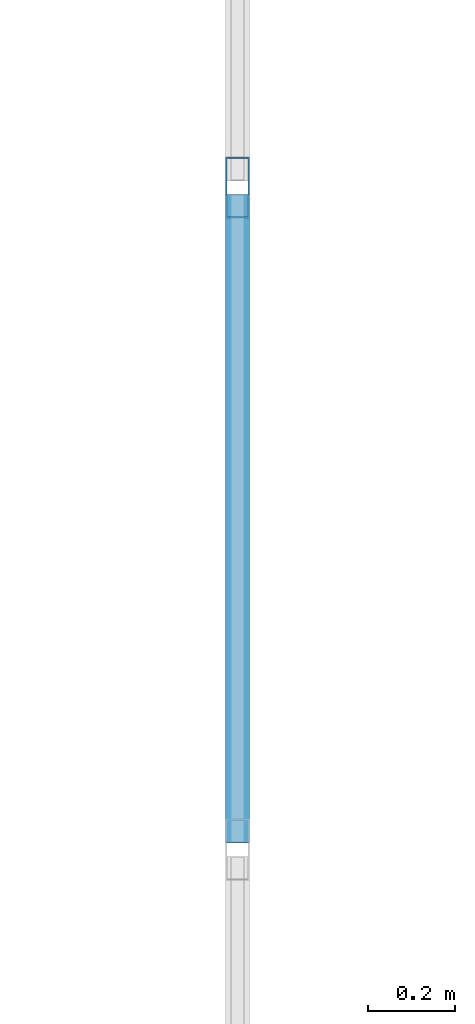
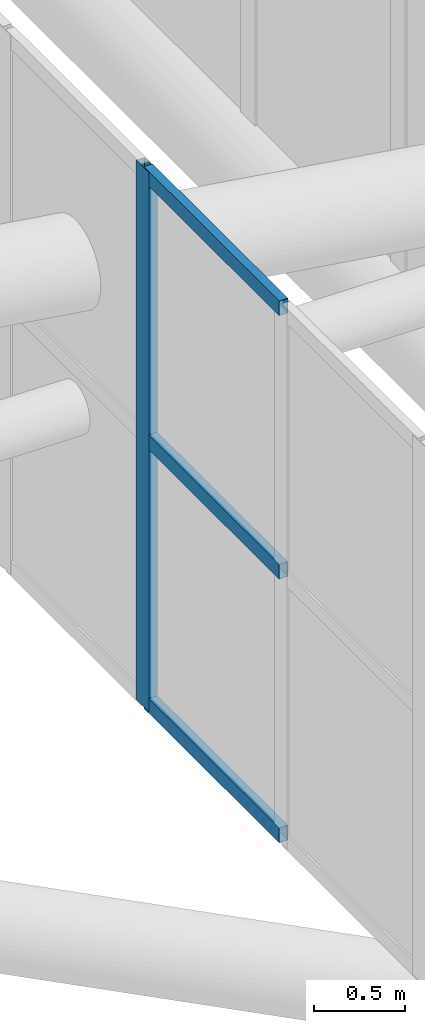
# One storey, part 164 of 397: 4 members, 1 element without a shape of its own.
"""IFC4 building model written with IfcOpenShell, lengths in metres."""

from ifc_helpers import new_model, si_unit, direction, frame, origin, origin_2d, place, context, subcontext, project, spatial, hollow_rectangle, extrude, material, material_profile, profile_set, type_object, element, aggregate, save


model = new_model("IFC4")

# Units and contexts
model_context = context("Model", 3, precision=1e-05, world=origin(), true_north=direction((0.0, 1.0)))
body_context = subcontext(model_context, "Body", "Model", "MODEL_VIEW")
ifc_project = project(units=[si_unit("LENGTHUNIT", "METRE"), si_unit("AREAUNIT", "SQUARE_METRE"), si_unit("VOLUMEUNIT", "CUBIC_METRE"), si_unit("PLANEANGLEUNIT", "RADIAN"), si_unit("MASSUNIT", "GRAM", prefix="KILO")], contexts=[model_context])

# Site, building, storey
site_placement = place(None, origin())
site = spatial("IfcSite", under=ifc_project, at=site_placement, CompositionType="ELEMENT")
building_placement = place(site_placement, origin())
building = spatial("IfcBuilding", under=site, at=building_placement, Name="Qandorah Velis Arena", CompositionType="ELEMENT")
storey_placement = place(building_placement, frame((0.0, 0.0, 27.5)))
storey = spatial("IfcBuildingStorey", under=building, at=storey_placement, Name="RF", CompositionType="ELEMENT", Elevation=27.5)

# Curtain wall, members
ifc_material_1 = material(Name="Solar-control low-E double glazing", Category="glass")
curtain_wall_type = type_object("IfcCurtainWallType", Name="ARC-CW-SYS15", PredefinedType="USERDEFINED", material=ifc_material_1)
curtain_wall_placement = place(storey_placement, origin())
curtain_wall = element("IfcCurtainWall", 1, at=curtain_wall_placement, inside=storey, type_object=curtain_wall_type, Name="Unitised curtain wall MON-2-3", ObjectType="UNITISED CURTAIN WALL", PredefinedType="USERDEFINED")
ifc_material_2 = material(Name="Champagne-bronze anodized aluminium 6063-T6", Category="aluminium")
ifc_material_profile_1 = material_profile(ifc_material_2, hollow_rectangle(XDim=0.054931640625, YDim=0.139892578125, WallThickness=0.0029296875, at=origin_2d()), Name="ALU MULLION 55x140")
ifc_profile_set_1 = profile_set([ifc_material_profile_1], Name="Champagne-bronze anodized aluminium 6063-T6")
member_type_1 = type_object("IfcMemberType", Name="ARC-CWM-140", PredefinedType="MULLION", material=ifc_profile_set_1)
member_1_placement = place(storey_placement, frame((108.0, 56.8388671875, 5.830322265625), z_axis=(0.0, 0.0, 1.0), x_axis=(-1.0, 0.0, 0.0)))
member_1 = element("IfcMember", 2, at=member_1_placement, type_object=member_type_1, Name="CW15 mullion 5", PredefinedType="MULLION", context=body_context, shape_type="SweptSolid", body=[
    extrude(hollow_rectangle(XDim=0.054931640625, YDim=0.139892578125, WallThickness=0.0029296875, at=origin_2d()), origin(), (0.0, 0.0, 1.0), 3.6298828125),
])
ifc_material_profile_2 = material_profile(ifc_material_2, hollow_rectangle(XDim=0.054931640625, YDim=0.10009765625, WallThickness=0.0029296875, at=origin_2d()), Name="ALU TRANSOM 55x100")
ifc_profile_set_2 = profile_set([ifc_material_profile_2], Name="Champagne-bronze anodized aluminium 6063-T6")
member_type_2 = type_object("IfcMemberType", Name="ARC-CWT-100", PredefinedType="USERDEFINED", material=ifc_profile_set_2)
member_2_placement = place(storey_placement, frame((108.0, 55.332275390625, 5.872802734375), z_axis=(0.0, 1.0, 0.0), x_axis=(-1.0, 0.0, 0.0)))
member_2 = element("IfcMember", 3, at=member_2_placement, type_object=member_type_2, Name="CW15 transom 4.1", ObjectType="TRANSOM", PredefinedType="USERDEFINED", context=body_context, shape_type="SweptSolid", body=[
    extrude(hollow_rectangle(XDim=0.054931640625, YDim=0.10009765625, WallThickness=0.0029296875, at=origin_2d()), origin(), (0.0, 0.0, 1.0), 1.4912109375),
])
member_3_placement = place(storey_placement, frame((108.0, 55.332275390625, 7.645263671875), z_axis=(0.0, 1.0, 0.0), x_axis=(-1.0, 0.0, 0.0)))
member_3 = element("IfcMember", 4, at=member_3_placement, type_object=member_type_2, Name="CW15 transom 4.2", ObjectType="TRANSOM", PredefinedType="USERDEFINED", context=body_context, shape_type="SweptSolid", body=[
    extrude(hollow_rectangle(XDim=0.054931640625, YDim=0.10009765625, WallThickness=0.0029296875, at=origin_2d()), origin(), (0.0, 0.0, 1.0), 1.4912109375),
])
member_4_placement = place(storey_placement, frame((108.0, 55.332275390625, 9.417724609375), z_axis=(0.0, 1.0, 0.0), x_axis=(-1.0, 0.0, 0.0)))
member_4 = element("IfcMember", 5, at=member_4_placement, type_object=member_type_2, Name="CW15 transom 4.3", ObjectType="TRANSOM", PredefinedType="USERDEFINED", context=body_context, shape_type="SweptSolid", body=[
    extrude(hollow_rectangle(XDim=0.054931640625, YDim=0.10009765625, WallThickness=0.0029296875, at=origin_2d()), origin(), (0.0, 0.0, 1.0), 1.4912109375),
])
aggregate(curtain_wall, [member_1, member_2, member_3, member_4])

save(model, "model.ifc")
